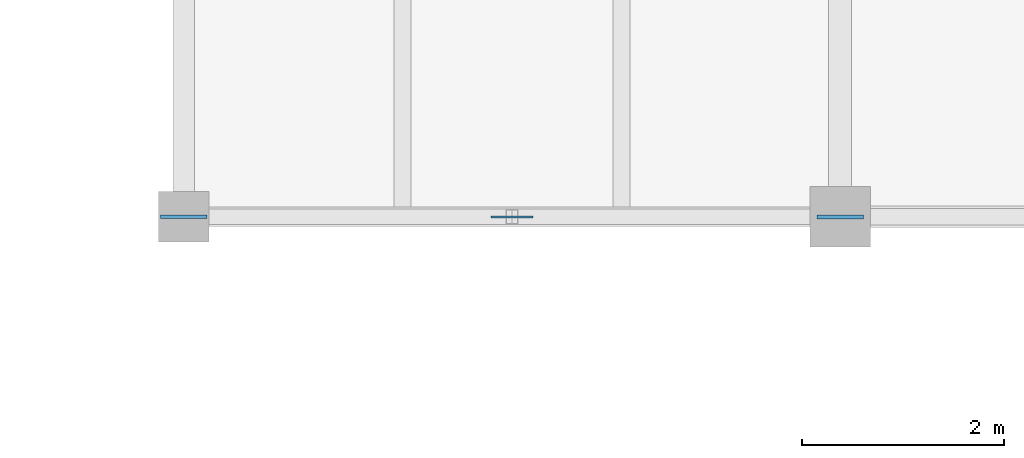
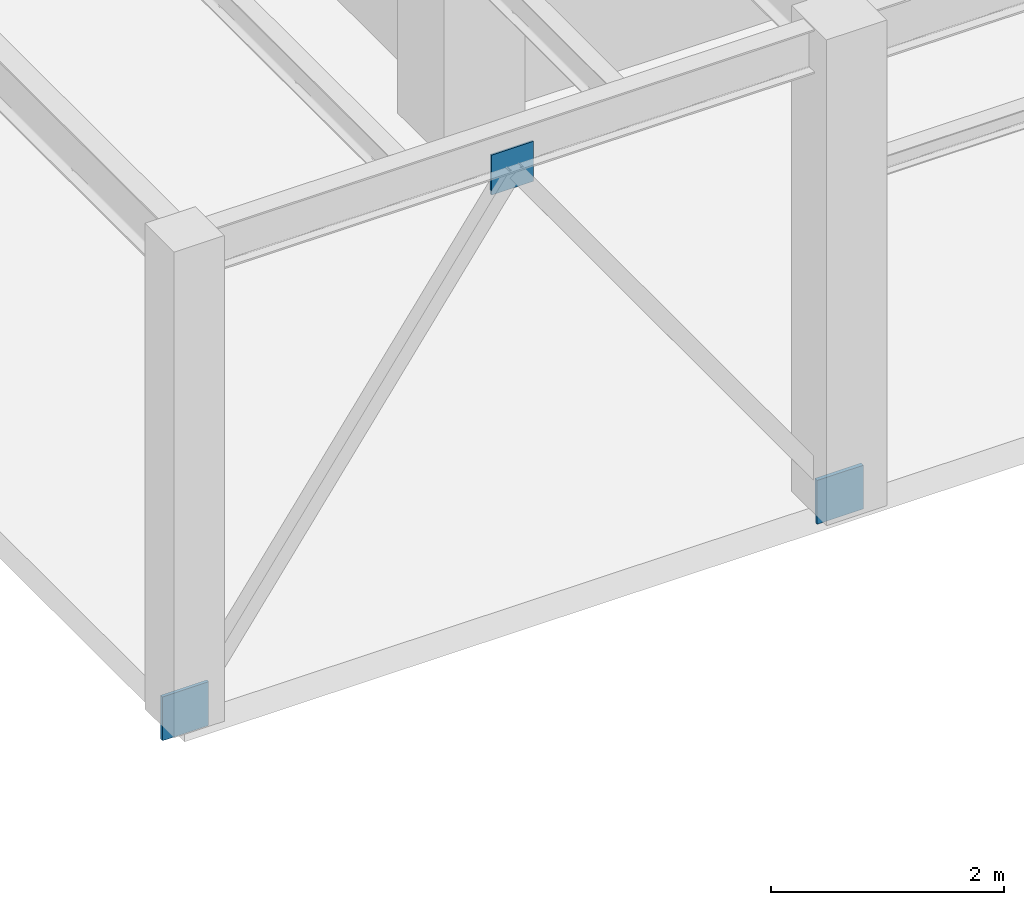
# One storey, part 164 of 203: 3 plates.
"""IFC4 building model written with IfcOpenShell, lengths in metres."""

from ifc_helpers import new_model, si_unit, direction, frame, origin, origin_2d, place, context, subcontext, project, spatial, rectangle, extrude, material, layer, layer_set, type_object, element, save


model = new_model("IFC4")

# Units and contexts
model_context = context("Model", 3, precision=1e-05, world=origin(), true_north=direction((0.0, 1.0)))
body_context = subcontext(model_context, "Body", "Model", "MODEL_VIEW")
ifc_project = project(units=[si_unit("LENGTHUNIT", "METRE"), si_unit("AREAUNIT", "SQUARE_METRE"), si_unit("VOLUMEUNIT", "CUBIC_METRE"), si_unit("PLANEANGLEUNIT", "RADIAN"), si_unit("MASSUNIT", "GRAM", prefix="KILO"), si_unit("THERMODYNAMICTEMPERATUREUNIT", "KELVIN"), si_unit("POWERUNIT", "WATT")], contexts=[model_context])

# Site, building, storey
site_placement = place(None, origin())
site = spatial("IfcSite", under=ifc_project, at=site_placement, CompositionType="ELEMENT")
building_placement = place(site_placement, origin())
building = spatial("IfcBuilding", under=site, at=building_placement, Name="Tepalcoro Natatorium and Aquatics Centre", CompositionType="ELEMENT")
storey_placement = place(building_placement, origin())
storey = spatial("IfcBuildingStorey", under=building, at=storey_placement, Name="L00", CompositionType="ELEMENT", Elevation=0.0)

# Plates
ifc_material = material(Name="Plate Steel ASTM A572 Grade 50 (Fy 345 MPa)", Category="steel")
ifc_layer_1 = layer(ifc_material, 0.031982421875)
ifc_layer_set_1 = layer_set([ifc_layer_1], Name="Plate Steel ASTM A572 Grade 50 (Fy 345 MPa)")
plate_type_1 = type_object("IfcPlateType", Name="PL_CAP_32", PredefinedType="USERDEFINED", material=ifc_layer_set_1)
plate_1_placement = place(storey_placement, frame((40.0, 0.0, -0.179931640625), z_axis=(0.0, 0.0, 1.0), x_axis=(1.0, 0.0, 0.0)))
element("IfcPlate", 1, at=plate_1_placement, inside=storey, type_object=plate_type_1, Name="Truss Node Cap Plate BRB_0", ObjectType="CAP PLATE", PredefinedType="USERDEFINED", context=body_context, shape_type="SweptSolid", body=[
    extrude(rectangle(XDim=0.4599609375, YDim=0.031982421875, at=origin_2d()), origin(), (0.0, 0.0, 1.0), 0.4599609375),
])
ifc_layer_2 = layer(ifc_material, 0.02001953125)
ifc_layer_set_2 = layer_set([ifc_layer_2], Name="Plate Steel ASTM A572 Grade 50 (Fy 345 MPa)")
plate_type_2 = type_object("IfcPlateType", Name="PL_GUSSET_20", PredefinedType="USERDEFINED", material=ifc_layer_set_2)
plate_2_placement = place(storey_placement, frame((43.25, 0.0, 4.400146484375), z_axis=(0.0, 0.0, 1.0), x_axis=(1.0, 0.0, 0.0)))
element("IfcPlate", 2, at=plate_2_placement, inside=storey, type_object=plate_type_2, Name="V1 L00 Chevron Gusset Plate GP1", ObjectType="GUSSET PLATE", PredefinedType="USERDEFINED", context=body_context, shape_type="SweptSolid", body=[
    extrude(rectangle(XDim=0.419921875, YDim=0.02001953125, at=origin_2d()), origin(), (0.0, 0.0, 1.0), 0.419921875),
])
ifc_layer_3 = layer(ifc_material, 0.0400390625)
ifc_layer_set_3 = layer_set([ifc_layer_3], Name="Plate Steel ASTM A572 Grade 50 (Fy 345 MPa)")
plate_type_3 = type_object("IfcPlateType", Name="PL_GUSSET_40", PredefinedType="USERDEFINED", material=ifc_layer_set_3)
plate_3_placement = place(storey_placement, frame((46.5, 0.0, -0.179931640625), z_axis=(0.0, 0.0, 1.0), x_axis=(1.0, 0.0, 0.0)))
element("IfcPlate", 3, at=plate_3_placement, inside=storey, type_object=plate_type_3, Name="Truss Node Gusset Plate BRB_0", ObjectType="GUSSET PLATE", PredefinedType="USERDEFINED", context=body_context, shape_type="SweptSolid", body=[
    extrude(rectangle(XDim=0.4599609375, YDim=0.0400390625, at=origin_2d()), origin(), (0.0, 0.0, 1.0), 0.4599609375),
])

save(model, "model.ifc")
